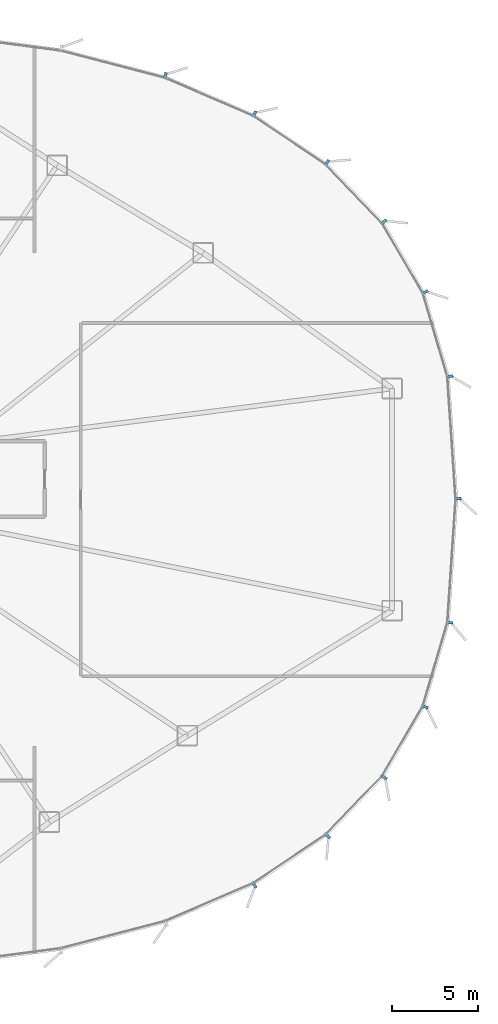
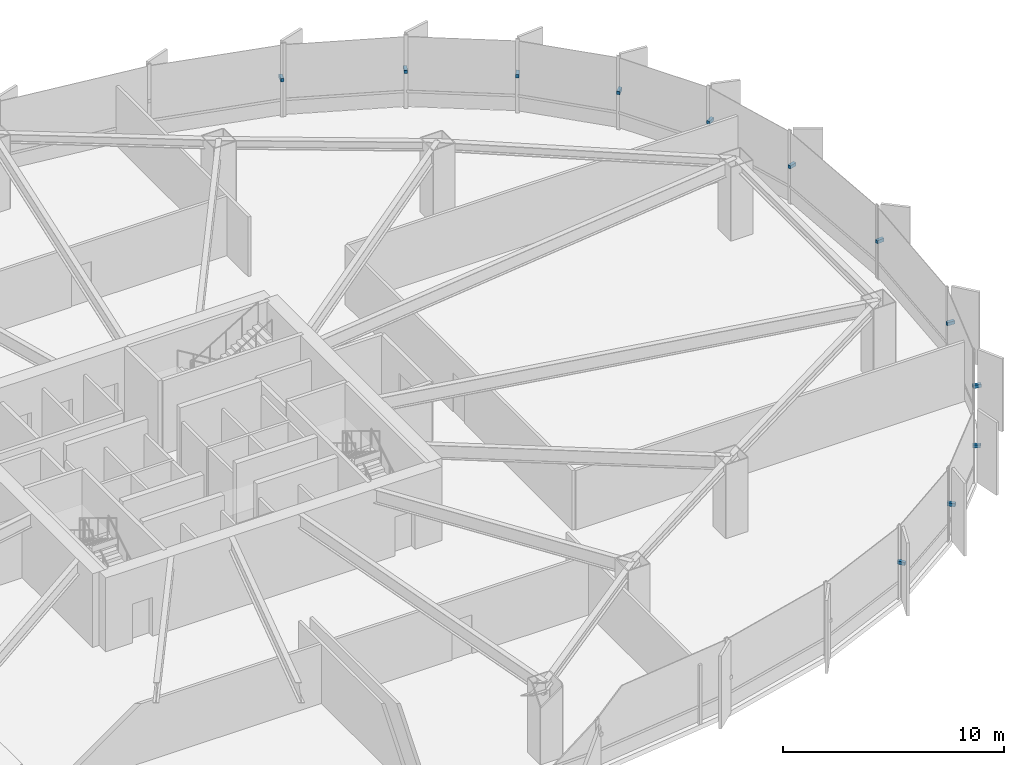
# One storey, part 28 of 34: 12 discrete accessories.
"""IFC4 building model written with IfcOpenShell, lengths in metres."""

from ifc_helpers import new_model, si_unit, direction, frame, origin, origin_2d, place, context, subcontext, project, spatial, rectangle, extrude, source, transform, mapped, material, type_object, element, save


model = new_model("IFC4")

# Units and contexts
model_context = context("Model", 3, precision=1e-05, world=origin(), true_north=direction((0.0, 1.0)))
body_context = subcontext(model_context, "Body", "Model", "MODEL_VIEW")
ifc_project = project(units=[si_unit("LENGTHUNIT", "METRE"), si_unit("AREAUNIT", "SQUARE_METRE"), si_unit("VOLUMEUNIT", "CUBIC_METRE"), si_unit("PLANEANGLEUNIT", "RADIAN"), si_unit("MASSUNIT", "GRAM", prefix="KILO"), si_unit("THERMODYNAMICTEMPERATUREUNIT", "KELVIN")], contexts=[model_context])

# Site, building, storey
site_placement = place(None, origin())
site = spatial("IfcSite", under=ifc_project, at=site_placement, CompositionType="ELEMENT")
building_placement = place(site_placement, origin())
building = spatial("IfcBuilding", under=site, at=building_placement, Name="Kethvar Cultural Tower", CompositionType="ELEMENT")
storey_placement = place(building_placement, frame((0.0, 0.0, 19.60009765625)))
storey = spatial("IfcBuildingStorey", under=building, at=storey_placement, Name="L04", CompositionType="ELEMENT", Elevation=19.60009765625)

# Discrete accessories
ifc_material = material(Name="Steel S355J2", Category="steel")
discrete_accessory_type = type_object("IfcDiscreteAccessoryType", Name="Steel Fin Bracket BRK-01", PredefinedType="BRACKET", material=ifc_material)
shared_shape = source(origin(), body_context, "Body", "SweptSolid", [
    extrude(rectangle(XDim=0.3798828125, YDim=0.159912109375, at=origin_2d()), origin(), (0.0, 0.0, 1.0), 0.179931640625),
])
for number, where, z_axis, x_axis, name in (
    (1, (83.206787109375, 27.849365234375, 1.94970703125), (0.0, 0.0, 1.0), (0.997754957227, 0.066970481029, 0.0), "L04 Terracotta Fin Bracket 1.1"),
    (2, (82.727294921875, 34.9814453125, 1.94970703125), (0.0, 0.0, 1.0), (0.959510852267, 0.281671660596, 0.0), "L04 Terracotta Fin Bracket 1.2"),
    (3, (81.28369140625, 39.896728515625, 1.94970703125), (0.0, 0.0, 1.0), (0.864011302865, 0.503472410885, 0.0), "L04 Terracotta Fin Bracket 1.3"),
    (4, (78.8916015625, 44.000732421875, 1.94970703125), (0.0, 0.0, 1.0), (0.72055111168, 0.693401828276, 0.0), "L04 Terracotta Fin Bracket 1.4"),
    (5, (75.568603515625, 47.4541015625, 1.94970703125), (0.0, 0.0, 1.0), (0.556585649903, 0.83079023485, 0.0), "L04 Terracotta Fin Bracket 1.5"),
    (6, (71.330322265625, 50.293212890625, 1.94970703125), (0.0, 0.0, 1.0), (0.396346847517, 0.9181008531, 0.0), "L04 Terracotta Fin Bracket 1.6"),
    (7, (66.128662109375, 52.531005859375, 1.94970703125), (0.0, 0.0, 1.0), (0.253082602519, 0.96744467351, 0.0), "L04 Terracotta Fin Bracket 2.1"),
    (8, (71.331787109375, 5.3076171875, 1.94970703125), (0.0, 0.0, 1.0), (0.556585649903, -0.83079023485, 0.0), "L04 Terracotta Fin Bracket 5.6"),
    (9, (75.60400390625, 8.182373046875, 1.94970703125), (0.0, 0.0, 1.0), (0.72055111168, -0.693401828276, 0.0), "L04 Terracotta Fin Bracket 6.1"),
    (10, (78.893310546875, 11.601318359375, 1.94970703125), (0.0, 0.0, 1.0), (0.864011302865, -0.503472410885, 0.0), "L04 Terracotta Fin Bracket 6.2"),
    (11, (81.28466796875, 15.70556640625, 1.94970703125), (0.0, 0.0, 1.0), (0.959510852267, -0.281671660596, 0.0), "L04 Terracotta Fin Bracket 6.3"),
    (12, (82.727783203125, 20.62060546875, 1.94970703125), (0.0, 0.0, 1.0), (0.997754957227, -0.066970481029, 0.0), "L04 Terracotta Fin Bracket 6.4"),
):
    element("IfcDiscreteAccessory", number, at=place(storey_placement, frame(where, z_axis=z_axis, x_axis=x_axis)), inside=storey, type_object=discrete_accessory_type, Name=name, PredefinedType="BRACKET", context=body_context, shape_type="MappedRepresentation", body=[
        mapped(shared_shape, transform((0.0, 0.0, 0.0), scale=1.0)),
    ])

save(model, "model.ifc")
